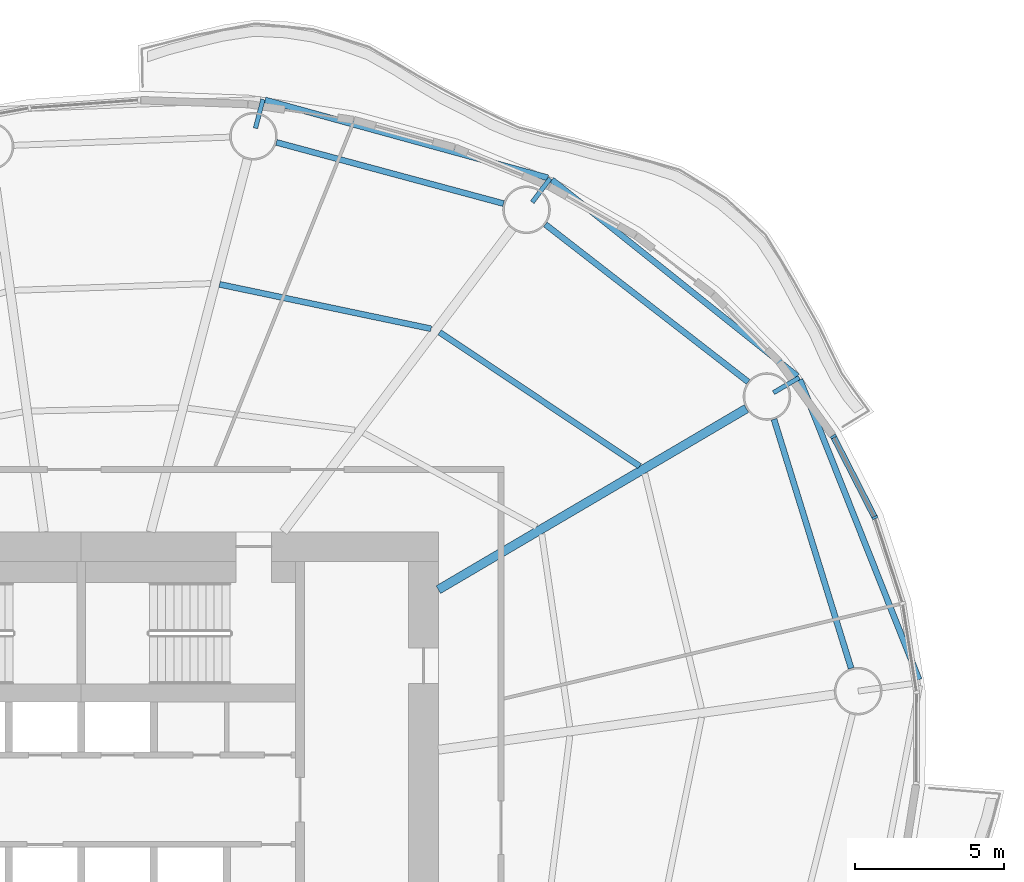
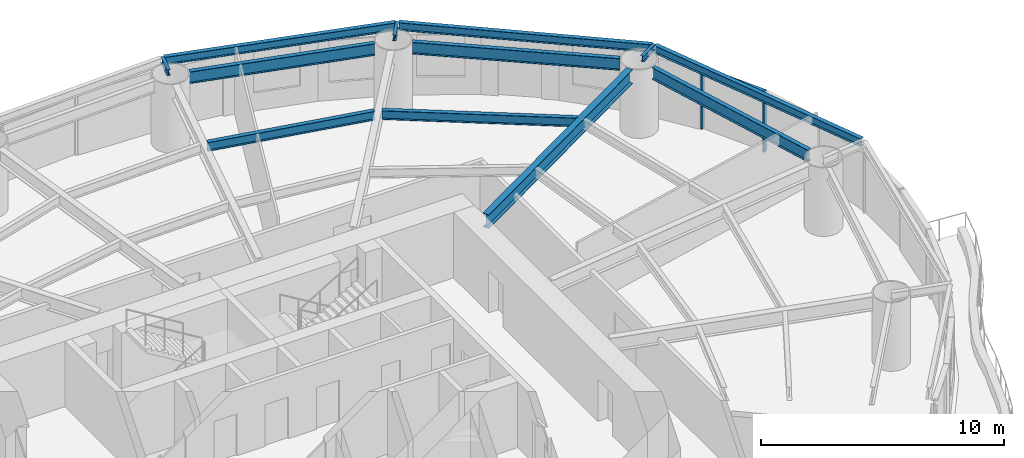
# One storey, part 6 of 16: 12 beams, 3 members, 1 element without a shape of its own.
"""IFC4 building model written with IfcOpenShell, lengths in metres."""

from ifc_helpers import new_model, si_unit, direction, frame, origin, origin_2d, place, context, subcontext, project, spatial, rectangle, i_section, extrude, material, material_profile, profile_set, type_object, element, aggregate, save


model = new_model("IFC4")

# Units and contexts
model_context = context("Model", 3, precision=1e-05, world=origin(), true_north=direction((0.0, 1.0)))
body_context = subcontext(model_context, "Body", "Model", "MODEL_VIEW")
ifc_project = project(units=[si_unit("LENGTHUNIT", "METRE"), si_unit("AREAUNIT", "SQUARE_METRE"), si_unit("VOLUMEUNIT", "CUBIC_METRE"), si_unit("PLANEANGLEUNIT", "RADIAN"), si_unit("MASSUNIT", "GRAM", prefix="KILO")], contexts=[model_context])

# Site, building, storey
site_placement = place(None, origin())
site = spatial("IfcSite", under=ifc_project, at=site_placement, CompositionType="ELEMENT")
building_placement = place(site_placement, origin())
building = spatial("IfcBuilding", under=site, at=building_placement, Name="Vermilion Reach Broadcast Tower", CompositionType="ELEMENT")
storey_placement = place(building_placement, frame((0.0, 0.0, 88.60009765625)))
storey = spatial("IfcBuildingStorey", under=building, at=storey_placement, Name="L19", CompositionType="ELEMENT", Elevation=88.60009765625)

# Beams
ifc_material_1 = material(Name="Steel S355J2", Category="steel")
ifc_material_profile_1 = material_profile(ifc_material_1, i_section(OverallWidth=0.199951171875, OverallDepth=0.39990234375, WebThickness=0.008056640625, FlangeThickness=0.012939453125, at=origin_2d()), Name="S355J2 HN 400x200x8x13")
ifc_profile_set_1 = profile_set([ifc_material_profile_1], Name="Steel S355J2")
beam_type_1 = type_object("IfcBeamType", Name="EB2 HN 400x200x8x13", PredefinedType="BEAM", material=ifc_profile_set_1)
beam_1_placement = place(storey_placement, frame((18.0625, 14.232666015625, 3.25), z_axis=(-0.780889112212, 0.624669668248, 0.0), x_axis=(-0.624669668248, -0.780889112212, 0.0)))
element("IfcBeam", 1, at=beam_1_placement, inside=storey, type_object=beam_type_1, Name="Edge beam EB2-01", PredefinedType="BEAM", context=body_context, shape_type="SweptSolid", body=[
    extrude(i_section(OverallWidth=0.199951171875, OverallDepth=0.39990234375, WebThickness=0.008056640625, FlangeThickness=0.012939453125, at=origin_2d()), origin(), (0.0, 0.0, 1.0), 10.558349609375),
])
beam_2_placement = place(storey_placement, frame((9.68115234375, 20.896240234375, 3.25), z_axis=(-0.964178310585, 0.265254944152, 0.0), x_axis=(-0.265254944152, -0.964178310585, 0.0)))
element("IfcBeam", 2, at=beam_2_placement, inside=storey, type_object=beam_type_1, Name="Edge beam EB2-02", PredefinedType="BEAM", context=body_context, shape_type="SweptSolid", body=[
    extrude(i_section(OverallWidth=0.199951171875, OverallDepth=0.39990234375, WebThickness=0.008056640625, FlangeThickness=0.012939453125, at=origin_2d()), origin(), (0.0, 0.0, 1.0), 9.854736328125),
])
beam_3_placement = place(storey_placement, frame((22.154541015625, 4.03271484375, 3.25), z_axis=(-0.368963452636, 0.929443903966, 0.0), x_axis=(-0.929443903966, -0.368963452636, 0.0)))
element("IfcBeam", 3, at=beam_3_placement, inside=storey, type_object=beam_type_1, Name="Edge beam EB2-16", PredefinedType="BEAM", context=body_context, shape_type="SweptSolid", body=[
    extrude(i_section(OverallWidth=0.199951171875, OverallDepth=0.39990234375, WebThickness=0.008056640625, FlangeThickness=0.012939453125, at=origin_2d()), origin(), (0.0, 0.0, 1.0), 10.844482421875),
])
ifc_material_2 = material(Name="Steel S355J2", Category="steel")
ifc_material_profile_2 = material_profile(ifc_material_2, i_section(OverallWidth=0.300048828125, OverallDepth=0.699951171875, WebThickness=0.012939453125, FlangeThickness=0.02392578125, at=origin_2d()), Name="S355J2 HN 700x300x13x24")
ifc_profile_set_2 = profile_set([ifc_material_profile_2], Name="Steel S355J2")
beam_type_2 = type_object("IfcBeamType", Name="G2 HN 700x300x13x24", PredefinedType="BEAM", material=ifc_profile_set_2)
beam_4_placement = place(storey_placement, frame((6.0, 7.054443359375, 3.099853515625), z_axis=(0.862071616631, 0.506786471603, 0.0), x_axis=(-0.506786471603, 0.862071616631, 0.0)))
element("IfcBeam", 4, at=beam_4_placement, inside=storey, type_object=beam_type_2, Name="Girder G2-01", PredefinedType="BEAM", context=body_context, shape_type="SweptSolid", body=[
    extrude(i_section(OverallWidth=0.300048828125, OverallDepth=0.699951171875, WebThickness=0.012939453125, FlangeThickness=0.02392578125, at=origin_2d()), origin(), (0.0, 0.0, 1.0), 12.01025390625),
])
ifc_material_3 = material(Name="Steel S355J2", Category="steel")
ifc_material_profile_3 = material_profile(ifc_material_3, i_section(OverallWidth=0.14990234375, OverallDepth=0.300048828125, WebThickness=0.006591796875, FlangeThickness=0.009033203125, at=origin_2d()), Name="S355J2 HN 300x150x6.5x9")
ifc_profile_set_3 = profile_set([ifc_material_profile_3], Name="Steel S355J2")
beam_type_3 = type_object("IfcBeamType", Name="GS2 HN 300x150x6.5x9", PredefinedType="BEAM", material=ifc_profile_set_3)
for number, where, z_axis, x_axis, name in (
    (5, (17.26318359375, 13.67578125, 3.2998046875), (0.862047161964, 0.506828068037, 0.0), (-0.506828068037, 0.862047161964, 0.0), "Cantilever stub GS2-01"),
    (6, (9.156494140625, 20.076904296875, 3.2998046875), (0.602536027779, 0.798091683473, 0.0), (-0.798091683473, 0.602536027779, 0.0), "Cantilever stub GS2-02"),
):
    element("IfcBeam", number, at=place(storey_placement, frame(where, z_axis=z_axis, x_axis=x_axis)), inside=storey, type_object=beam_type_3, Name=name, PredefinedType="BEAM", context=body_context, shape_type="SweptSolid", body=[
        extrude(i_section(OverallWidth=0.14990234375, OverallDepth=0.300048828125, WebThickness=0.006591796875, FlangeThickness=0.009033203125, at=origin_2d()), origin(), (0.0, 0.0, 1.0), 1.0),
    ])
beam_5_placement = place(storey_placement, frame((-0.14404296875, 22.562255859375, 3.2998046875), z_axis=(0.251258738033, 0.967919958758, 0.0), x_axis=(-0.967919958758, 0.251258738033, 0.0)))
element("IfcBeam", 7, at=beam_5_placement, inside=storey, type_object=beam_type_3, Name="Cantilever stub GS2-03", PredefinedType="BEAM", context=body_context, shape_type="SweptSolid", body=[
    extrude(i_section(OverallWidth=0.14990234375, OverallDepth=0.300048828125, WebThickness=0.006591796875, FlangeThickness=0.009033203125, at=origin_2d()), origin(), (0.0, 0.0, 1.0), 0.999755859375),
])
ifc_material_4 = material(Name="Steel S355J2", Category="steel")
ifc_material_profile_4 = material_profile(ifc_material_4, i_section(OverallWidth=0.199951171875, OverallDepth=0.60009765625, WebThickness=0.010986328125, FlangeThickness=0.01708984375, at=origin_2d()), Name="S355J2 HN 600x200x11x17")
ifc_profile_set_4 = profile_set([ifc_material_profile_4], Name="Steel S355J2")
beam_type_4 = type_object("IfcBeamType", Name="RB2 HN 600x200x11x17", PredefinedType="BEAM", material=ifc_profile_set_4)
beam_6_placement = place(storey_placement, frame((16.41162109375, 14.037109375, 3.14990234375), z_axis=(-0.789825712432, 0.613331349257, 0.0), x_axis=(-0.613331349257, -0.789825712432, 0.0)))
element("IfcBeam", 8, at=beam_6_placement, inside=storey, type_object=beam_type_4, Name="Ring beam RB2-01", PredefinedType="BEAM", context=body_context, shape_type="SweptSolid", body=[
    extrude(i_section(OverallWidth=0.199951171875, OverallDepth=0.60009765625, WebThickness=0.010986328125, FlangeThickness=0.01708984375, at=origin_2d()), origin(), (0.0, 0.0, 1.0), 8.63037109375),
])
beam_7_placement = place(storey_placement, frame((8.19091796875, 20.029296875, 3.14990234375), z_axis=(-0.965541463834, 0.260249268234, 0.0), x_axis=(-0.260249268234, -0.965541463834, 0.0)))
element("IfcBeam", 9, at=beam_7_placement, inside=storey, type_object=beam_type_4, Name="Ring beam RB2-02", PredefinedType="BEAM", context=body_context, shape_type="SweptSolid", body=[
    extrude(i_section(OverallWidth=0.199951171875, OverallDepth=0.60009765625, WebThickness=0.010986328125, FlangeThickness=0.01708984375, at=origin_2d()), origin(), (0.0, 0.0, 1.0), 7.904541015625),
])
beam_8_placement = place(storey_placement, frame((19.872314453125, 4.410400390625, 3.14990234375), z_axis=(-0.295788439635, 0.95525347368, 0.0), x_axis=(-0.95525347368, -0.295788439635, 0.0)))
element("IfcBeam", 10, at=beam_8_placement, inside=storey, type_object=beam_type_4, Name="Ring beam RB2-16", PredefinedType="BEAM", context=body_context, shape_type="SweptSolid", body=[
    extrude(i_section(OverallWidth=0.199951171875, OverallDepth=0.60009765625, WebThickness=0.010986328125, FlangeThickness=0.01708984375, at=origin_2d()), origin(), (0.0, 0.0, 1.0), 8.763916015625),
])
ifc_material_5 = material(Name="Steel S355J2", Category="steel")
ifc_material_profile_5 = material_profile(ifc_material_5, i_section(OverallWidth=0.199951171875, OverallDepth=0.449951171875, WebThickness=0.009033203125, FlangeThickness=0.013916015625, at=origin_2d()), Name="S355J2 HN 450x200x9x14")
ifc_profile_set_5 = profile_set([ifc_material_profile_5], Name="Steel S355J2")
beam_type_5 = type_object("IfcBeamType", Name="SB2 HN 450x200x9x14", PredefinedType="BEAM", material=ifc_profile_set_5)
beam_9_placement = place(storey_placement, frame((12.76416015625, 11.204833984375, 3.224853515625), z_axis=(-0.830915400975, 0.556398774641, 0.0), x_axis=(-0.556398774641, -0.830915400975, 0.0)))
element("IfcBeam", 11, at=beam_9_placement, inside=storey, type_object=beam_type_5, Name="Secondary beam SB2-01-2", PredefinedType="BEAM", context=body_context, shape_type="SweptSolid", body=[
    extrude(i_section(OverallWidth=0.199951171875, OverallDepth=0.449951171875, WebThickness=0.009033203125, FlangeThickness=0.013916015625, at=origin_2d()), origin(), (0.0, 0.0, 1.0), 8.087646484375),
])
beam_10_placement = place(storey_placement, frame((5.7568359375, 15.822509765625, 3.224853515625), z_axis=(-0.978631382549, 0.205622511148, 0.0), x_axis=(-0.205622511148, -0.978631382549, 0.0)))
element("IfcBeam", 12, at=beam_10_placement, inside=storey, type_object=beam_type_5, Name="Secondary beam SB2-02-2", PredefinedType="BEAM", context=body_context, shape_type="SweptSolid", body=[
    extrude(i_section(OverallWidth=0.199951171875, OverallDepth=0.449951171875, WebThickness=0.009033203125, FlangeThickness=0.013916015625, at=origin_2d()), origin(), (0.0, 0.0, 1.0), 7.262939453125),
])

# Curtain wall, members
ifc_material_6 = material(Name="Low-e laminated clear glass in aluminium frame", Category="aluminium")
curtain_wall_type = type_object("IfcCurtainWallType", Name="Slot curtain wall", PredefinedType="NOTDEFINED", material=ifc_material_6)
curtain_wall_placement = place(storey_placement, origin())
curtain_wall = element("IfcCurtainWall", 13, at=curtain_wall_placement, inside=storey, type_object=curtain_wall_type, Name="Slot curtain wall L19 01", PredefinedType="NOTDEFINED")
ifc_material_7 = material(Name="Anodised aluminium", Category="aluminium")
ifc_material_profile_6 = material_profile(ifc_material_7, rectangle(XDim=0.199951171875, YDim=0.080078125, at=origin_2d()), Name="Slot mullion 80 x 200")
ifc_profile_set_6 = profile_set([ifc_material_profile_6], Name="Anodised aluminium")
member_type_1 = type_object("IfcMemberType", Name="Slot mullion 80 x 200", PredefinedType="MULLION", material=ifc_profile_set_6)
member_1_placement = place(storey_placement, frame((20.668212890625, 9.478271484375, 0.0), z_axis=(0.0, 0.0, 1.0), x_axis=(-0.923552713179, -0.383471493048, 0.0)))
member_1 = element("IfcMember", 14, at=member_1_placement, type_object=member_type_1, Name="Slot mullion L19 01", PredefinedType="MULLION", context=body_context, shape_type="SweptSolid", body=[
    extrude(rectangle(XDim=0.199951171875, YDim=0.080078125, at=origin_2d()), origin(), (0.0, 0.0, 1.0), 3.0498046875),
])
member_2_placement = place(storey_placement, frame((19.27685546875, 12.198974609375, 0.0), z_axis=(0.0, 0.0, 1.0), x_axis=(-0.852517637717, -0.522698457413, 0.0)))
member_2 = element("IfcMember", 15, at=member_2_placement, type_object=member_type_1, Name="Slot mullion L19 02", PredefinedType="MULLION", context=body_context, shape_type="SweptSolid", body=[
    extrude(rectangle(XDim=0.199951171875, YDim=0.080078125, at=origin_2d()), origin(), (0.0, 0.0, 1.0), 3.0498046875),
])
ifc_material_8 = material(Name="Anodised aluminium", Category="aluminium")
ifc_material_profile_7 = material_profile(ifc_material_8, rectangle(XDim=0.199951171875, YDim=0.10009765625, at=origin_2d()), Name="Slot transom 200 x 100")
ifc_profile_set_7 = profile_set([ifc_material_profile_7], Name="Anodised aluminium")
member_type_2 = type_object("IfcMemberType", Name="Slot transom 200 x 100", PredefinedType="USERDEFINED", material=ifc_profile_set_7)
member_3_placement = place(storey_placement, frame((20.650146484375, 9.513916015625, 3.0), z_axis=(-0.455300400657, 0.890337882582, 0.0), x_axis=(-0.890337882582, -0.455300400657, 0.0)))
member_3 = element("IfcMember", 16, at=member_3_placement, type_object=member_type_2, Name="Slot transom L19 01.1", ObjectType="TRANSOM", PredefinedType="USERDEFINED", context=body_context, shape_type="SweptSolid", body=[
    extrude(rectangle(XDim=0.199951171875, YDim=0.10009765625, at=origin_2d()), origin(), (0.0, 0.0, 1.0), 2.97607421875),
])
aggregate(curtain_wall, [member_1, member_2, member_3])

save(model, "model.ifc")
